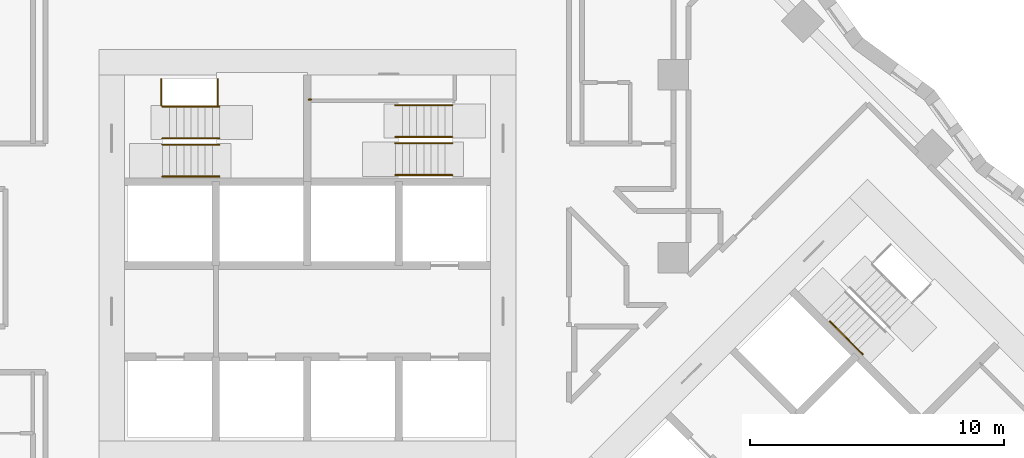
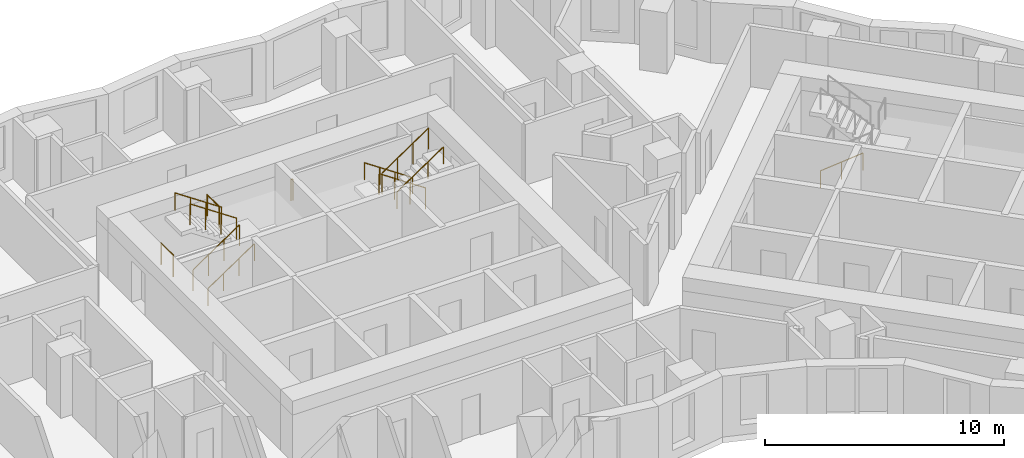
# One storey, part 11 of 12: 12 railings.
"""IFC4 building model written with IfcOpenShell, lengths in metres."""

from ifc_helpers import new_model, si_unit, direction, frame, origin, origin_2d, place, context, subcontext, project, spatial, circle, extrude, material, type_object, element, save


model = new_model("IFC4")

# Units and contexts
model_context = context("Model", 3, precision=1e-05, world=origin(), true_north=direction((0.0, 1.0)))
body_context = subcontext(model_context, "Body", "Model", "MODEL_VIEW")
ifc_project = project(units=[si_unit("LENGTHUNIT", "METRE"), si_unit("AREAUNIT", "SQUARE_METRE"), si_unit("VOLUMEUNIT", "CUBIC_METRE"), si_unit("PLANEANGLEUNIT", "RADIAN"), si_unit("MASSUNIT", "GRAM", prefix="KILO")], contexts=[model_context])

# Site, building, storey
site_placement = place(None, origin())
site = spatial("IfcSite", under=ifc_project, at=site_placement, CompositionType="ELEMENT")
building_placement = place(site_placement, origin())
building = spatial("IfcBuilding", under=site, at=building_placement, Name="Windrow Commons", CompositionType="ELEMENT")
storey_placement = place(building_placement, frame((0.0, 0.0, 54.2)))
storey = spatial("IfcBuildingStorey", under=building, at=storey_placement, Name="L14", CompositionType="ELEMENT", Elevation=54.2)

# Railings
ifc_material_1 = material(Name="Steel S355", Category="steel")
railing_type_1 = type_object("IfcRailingType", Name="Core stair guard 1100", PredefinedType="GUARDRAIL", material=ifc_material_1)
railing_1_placement = place(storey_placement, frame((59.1, 62.05, 0.1889)))
element("IfcRailing", 1, at=railing_1_placement, inside=storey, type_object=railing_type_1, Name="L14 ST-A1 stair guard 1", PredefinedType="GUARDRAIL", context=body_context, shape_type="SweptSolid", body=[
    extrude(circle(Radius=0.024, at=origin_2d()), frame((0.0, 0.0, 1.076), z_axis=(0.8290030985, 0.0, 0.5592440099), x_axis=(0.0, 1.0, 0.0)), (0.0, 0.0, 1.0), 2.702),
    extrude(circle(Radius=0.021, at=origin_2d()), origin(), (0.0, 0.0, 1.0), 1.052),
    extrude(circle(Radius=0.021, at=origin_2d()), frame((0.7467, 0.0, 0.5037)), (0.0, 0.0, 1.0), 1.052),
    extrude(circle(Radius=0.021, at=origin_2d()), frame((1.4933, 0.0, 1.0074)), (0.0, 0.0, 1.0), 1.052),
    extrude(circle(Radius=0.021, at=origin_2d()), frame((2.24, 0.0, 1.5111)), (0.0, 0.0, 1.0), 1.052),
])
railing_2_placement = place(storey_placement, frame((61.34, 62.3, 1.8889)))
element("IfcRailing", 2, at=railing_2_placement, inside=storey, type_object=railing_type_1, Name="L14 ST-A1 stair guard 2", PredefinedType="GUARDRAIL", context=body_context, shape_type="SweptSolid", body=[
    extrude(circle(Radius=0.024, at=origin_2d()), frame((0.0, 0.0, 1.076), z_axis=(-0.8290030985, 0.0, 0.5592440099), x_axis=(0.0, -1.0, 0.0)), (0.0, 0.0, 1.0), 2.702),
    extrude(circle(Radius=0.021, at=origin_2d()), origin(), (0.0, 0.0, 1.0), 1.052),
    extrude(circle(Radius=0.021, at=origin_2d()), frame((-0.7467, 0.0, 0.5037)), (0.0, 0.0, 1.0), 1.052),
    extrude(circle(Radius=0.021, at=origin_2d()), frame((-1.4933, 0.0, 1.0074)), (0.0, 0.0, 1.0), 1.052),
    extrude(circle(Radius=0.021, at=origin_2d()), frame((-2.24, 0.0, 1.5111)), (0.0, 0.0, 1.0), 1.052),
])
for number, where, name in (
    (3, (59.05, 63.6, 0.0), "L14 ST-A1 stair guard 3"),
    (4, (61.27, 63.6, 1.7), "L14 ST-A1 stair guard 4"),
):
    element("IfcRailing", number, at=place(storey_placement, frame(where)), inside=storey, type_object=railing_type_1, Name=name, PredefinedType="GUARDRAIL", context=body_context, shape_type="SweptSolid", body=[
        extrude(circle(Radius=0.024, at=origin_2d()), frame((0.0, 0.0, 1.076), z_axis=(0.0, 1.0, 0.0), x_axis=(-1.0, 0.0, 0.0)), (0.0, 0.0, 1.0), 1.03),
        extrude(circle(Radius=0.021, at=origin_2d()), origin(), (0.0, 0.0, 1.0), 1.052),
        extrude(circle(Radius=0.021, at=origin_2d()), frame((0.0, 1.03, 0.0)), (0.0, 0.0, 1.0), 1.052),
    ])
railing_3_placement = place(storey_placement, frame((70.5, 62.355, 0.1889)))
element("IfcRailing", 5, at=railing_3_placement, inside=storey, type_object=railing_type_1, Name="L14 ST-A2 stair guard 1", PredefinedType="GUARDRAIL", context=body_context, shape_type="SweptSolid", body=[
    extrude(circle(Radius=0.024, at=origin_2d()), frame((0.0, 0.0, 1.076), z_axis=(-0.8290030985, 0.0, 0.5592440099), x_axis=(0.0, -1.0, 0.0)), (0.0, 0.0, 1.0), 2.702),
    extrude(circle(Radius=0.021, at=origin_2d()), origin(), (0.0, 0.0, 1.0), 1.052),
    extrude(circle(Radius=0.021, at=origin_2d()), frame((-0.7467, 0.0, 0.5037)), (0.0, 0.0, 1.0), 1.052),
    extrude(circle(Radius=0.021, at=origin_2d()), frame((-1.4933, 0.0, 1.0074)), (0.0, 0.0, 1.0), 1.052),
    extrude(circle(Radius=0.021, at=origin_2d()), frame((-2.24, 0.0, 1.5111)), (0.0, 0.0, 1.0), 1.052),
])
railing_4_placement = place(storey_placement, frame((68.26, 62.105, 1.8889)))
element("IfcRailing", 6, at=railing_4_placement, inside=storey, type_object=railing_type_1, Name="L14 ST-A2 stair guard 2", PredefinedType="GUARDRAIL", context=body_context, shape_type="SweptSolid", body=[
    extrude(circle(Radius=0.024, at=origin_2d()), frame((0.0, 0.0, 1.076), z_axis=(0.8290030985, 0.0, 0.5592440099), x_axis=(0.0, 1.0, 0.0)), (0.0, 0.0, 1.0), 2.702),
    extrude(circle(Radius=0.021, at=origin_2d()), origin(), (0.0, 0.0, 1.0), 1.052),
    extrude(circle(Radius=0.021, at=origin_2d()), frame((0.7467, 0.0, 0.5037)), (0.0, 0.0, 1.0), 1.052),
    extrude(circle(Radius=0.021, at=origin_2d()), frame((1.4933, 0.0, 1.0074)), (0.0, 0.0, 1.0), 1.052),
    extrude(circle(Radius=0.021, at=origin_2d()), frame((2.24, 0.0, 1.5111)), (0.0, 0.0, 1.0), 1.052),
])
railing_5_placement = place(storey_placement, frame((64.95, 63.825, 1.7)))
element("IfcRailing", 7, at=railing_5_placement, inside=storey, type_object=railing_type_1, Name="L14 ST-A2 stair guard 3", PredefinedType="GUARDRAIL", context=body_context, shape_type="SweptSolid", body=[
    extrude(circle(Radius=0.024, at=origin_2d()), frame((0.0, 0.0, 1.076), z_axis=(-1.0, 0.0, 0.0), x_axis=(0.0, -1.0, 0.0)), (0.0, 0.0, 1.0), 0.1),
    extrude(circle(Radius=0.021, at=origin_2d()), origin(), (0.0, 0.0, 1.0), 1.052),
    extrude(circle(Radius=0.021, at=origin_2d()), frame((-0.1, 0.0, 0.0)), (0.0, 0.0, 1.0), 1.052),
])
ifc_material_2 = material(Name="Steel S355", Category="steel")
railing_type_2 = type_object("IfcRailingType", Name="Core stair handrail 900", PredefinedType="HANDRAIL", material=ifc_material_2)
railing_6_placement = place(storey_placement, frame((59.1, 60.8, 0.1889)))
element("IfcRailing", 8, at=railing_6_placement, inside=storey, type_object=railing_type_2, Name="L14 ST-A1 stair handrail 1", PredefinedType="HANDRAIL", context=body_context, shape_type="SweptSolid", body=[
    extrude(circle(Radius=0.024, at=origin_2d()), frame((0.0, 0.0, 0.876), z_axis=(0.8290030985, 0.0, 0.5592440099), x_axis=(0.0, 1.0, 0.0)), (0.0, 0.0, 1.0), 2.702),
    extrude(circle(Radius=0.021, at=origin_2d()), origin(), (0.0, 0.0, 1.0), 0.852),
    extrude(circle(Radius=0.021, at=origin_2d()), frame((0.7467, 0.0, 0.5037)), (0.0, 0.0, 1.0), 0.852),
    extrude(circle(Radius=0.021, at=origin_2d()), frame((1.4933, 0.0, 1.0074)), (0.0, 0.0, 1.0), 0.852),
    extrude(circle(Radius=0.021, at=origin_2d()), frame((2.24, 0.0, 1.5111)), (0.0, 0.0, 1.0), 0.852),
])
for number, where, name in (
    (9, (61.34, 63.55, 1.8889), "L14 ST-A1 stair handrail 2"),
    (10, (70.5, 63.605, 0.1889), "L14 ST-A2 stair handrail 1"),
):
    element("IfcRailing", number, at=place(storey_placement, frame(where)), inside=storey, type_object=railing_type_2, Name=name, PredefinedType="HANDRAIL", context=body_context, shape_type="SweptSolid", body=[
        extrude(circle(Radius=0.024, at=origin_2d()), frame((0.0, 0.0, 0.876), z_axis=(-0.8290030985, 0.0, 0.5592440099), x_axis=(0.0, -1.0, 0.0)), (0.0, 0.0, 1.0), 2.702),
        extrude(circle(Radius=0.021, at=origin_2d()), origin(), (0.0, 0.0, 1.0), 0.852),
        extrude(circle(Radius=0.021, at=origin_2d()), frame((-0.7467, 0.0, 0.5037)), (0.0, 0.0, 1.0), 0.852),
        extrude(circle(Radius=0.021, at=origin_2d()), frame((-1.4933, 0.0, 1.0074)), (0.0, 0.0, 1.0), 0.852),
        extrude(circle(Radius=0.021, at=origin_2d()), frame((-2.24, 0.0, 1.5111)), (0.0, 0.0, 1.0), 0.852),
    ])
railing_7_placement = place(storey_placement, frame((68.26, 60.855, 1.8889)))
element("IfcRailing", 11, at=railing_7_placement, inside=storey, type_object=railing_type_2, Name="L14 ST-A2 stair handrail 2", PredefinedType="HANDRAIL", context=body_context, shape_type="SweptSolid", body=[
    extrude(circle(Radius=0.024, at=origin_2d()), frame((0.0, 0.0, 0.876), z_axis=(0.8290030985, 0.0, 0.5592440099), x_axis=(0.0, 1.0, 0.0)), (0.0, 0.0, 1.0), 2.702),
    extrude(circle(Radius=0.021, at=origin_2d()), origin(), (0.0, 0.0, 1.0), 0.852),
    extrude(circle(Radius=0.021, at=origin_2d()), frame((0.7467, 0.0, 0.5037)), (0.0, 0.0, 1.0), 0.852),
    extrude(circle(Radius=0.021, at=origin_2d()), frame((1.4933, 0.0, 1.0074)), (0.0, 0.0, 1.0), 0.852),
    extrude(circle(Radius=0.021, at=origin_2d()), frame((2.24, 0.0, 1.5111)), (0.0, 0.0, 1.0), 0.852),
])
railing_8_placement = place(storey_placement, frame((85.3518, 55.1001, 0.4587)))
element("IfcRailing", 12, at=railing_8_placement, inside=storey, type_object=railing_type_2, Name="L14 ST-B1 stair handrail 1", PredefinedType="HANDRAIL", context=body_context, shape_type="SweptSolid", body=[
    extrude(circle(Radius=0.024, at=origin_2d()), frame((0.0, 0.0, 0.876), z_axis=(0.586206706, -0.5861616513, 0.5592639952), x_axis=(0.7070796062, 0.7071339551, 0.0)), (0.0, 0.0, 1.0), 2.2195),
    extrude(circle(Radius=0.021, at=origin_2d()), origin(), (0.0, 0.0, 1.0), 0.852),
    extrude(circle(Radius=0.021, at=origin_2d()), frame((0.6506, -0.6505, 0.6206)), (0.0, 0.0, 1.0), 0.852),
    extrude(circle(Radius=0.021, at=origin_2d()), frame((1.3011, -1.301, 1.2413)), (0.0, 0.0, 1.0), 0.852),
])

save(model, "model.ifc")
